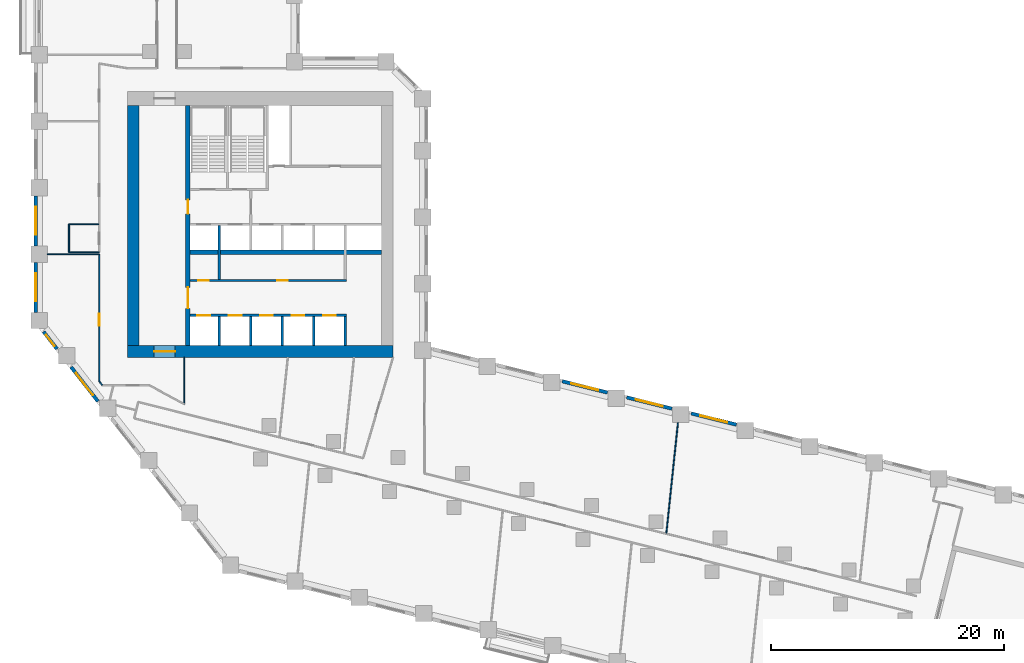
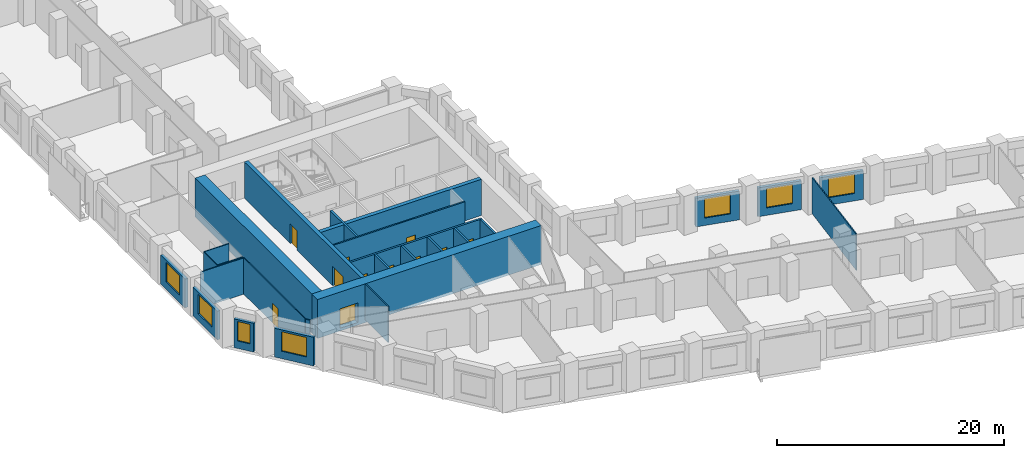
# One storey, part 4 of 11: 27 walls, 11 doors, 7 windows, 18 openings.
"""IFC4 building model written with IfcOpenShell, lengths in metres."""

import ifcopenshell
import ifcopenshell.guid

model = None  # the IFC model being written
_history = None  # IfcOwnerHistory: only IFC2X3 demands one
_inside = {}  # id of a spatial element -> (the spatial element, [elements in it])
_under = {}  # id of a project, library or spatial element -> (it, [spatial elements below it])
_declared = {}  # id of a project -> (the project, [libraries it declares])
_typed = {}  # id of a type object -> (the type object, [elements of that type])
_made_of = {}  # id of a material, layer set ... -> (it, [elements and type objects made of it])


def new_model(schema):
    """Start an empty IFC model of exactly this schema.

    Asked for "IFC4X3", IfcOpenShell would pick the latest addendum, in which some entities
    have other attributes; the version numbers below select the first issue.
    IFC2X3 requires an IfcOwnerHistory on every rooted entity: one is made here for all.
    """
    global model, _history
    if schema == "IFC4X3":
        model = ifcopenshell.file(schema_version=(4, 3, 0, 0))
    else:
        model = ifcopenshell.file(schema=schema)
    _inside.clear()
    _under.clear()
    _declared.clear()
    _typed.clear()
    _made_of.clear()
    _history = None
    if model.schema == "IFC2X3":
        org = make("IfcOrganization", Name="unknown")
        user = make(
            "IfcPersonAndOrganization",
            ThePerson=make("IfcPerson", FamilyName="unknown"),
            TheOrganization=org,
        )
        app = make(
            "IfcApplication",
            ApplicationDeveloper=org,
            Version="unknown",
            ApplicationFullName="unknown",
            ApplicationIdentifier="unknown",
        )
        _history = make(
            "IfcOwnerHistory",
            OwningUser=user,
            OwningApplication=app,
            ChangeAction="ADDED",
            CreationDate=0,
        )
    return model


def make(cls, **values):
    """One entity of the class cls with the attributes given. An attribute that is None is left unset."""
    return model.create_entity(
        cls, **{name: value for name, value in values.items() if value is not None}
    )


def rooted(cls, **values):
    """An entity with a GlobalId (a new one), such as an element, a storey or a relation."""
    return make(cls, GlobalId=ifcopenshell.guid.new(), OwnerHistory=_history, **values)


def si_unit(unit_type, name, prefix=None):
    """IfcSIUnit, for example si_unit("LENGTHUNIT", "METRE", prefix="MILLI")."""
    return make("IfcSIUnit", UnitType=unit_type, Prefix=prefix, Name=name)


def assignment(units):
    """IfcUnitAssignment: the units of a project."""
    return None if units is None else make("IfcUnitAssignment", Units=units)


def point(xyz):
    """IfcCartesianPoint."""
    return None if xyz is None else make("IfcCartesianPoint", Coordinates=xyz)


def direction(xyz):
    """IfcDirection."""
    return None if xyz is None else make("IfcDirection", DirectionRatios=xyz)


def frame(location, z_axis=None, x_axis=None):
    """IfcAxis2Placement3D, a coordinate frame: its origin and axes. An axis left out is left unset."""
    return make(
        "IfcAxis2Placement3D",
        Location=point(location),
        Axis=direction(z_axis),
        RefDirection=direction(x_axis),
    )


def frame_2d(location, x_axis=None):
    """IfcAxis2Placement2D, a coordinate frame in the plane: its origin and x axis."""
    return make(
        "IfcAxis2Placement2D", Location=point(location), RefDirection=direction(x_axis)
    )


def origin():
    """The frame at (0, 0, 0) with its axes left unset."""
    return frame((0.0, 0.0, 0.0))


def place(relative_to, where):
    """IfcLocalPlacement: puts the frame where relative to a parent placement (None: the world)."""
    return make(
        "IfcLocalPlacement", PlacementRelTo=relative_to, RelativePlacement=where
    )


def context(
    kind, dimensions, precision=None, world=None, true_north=None, identifier=None
):
    """IfcGeometricRepresentationContext, for example the 3D "Model" context."""
    return make(
        "IfcGeometricRepresentationContext",
        ContextIdentifier=identifier,
        ContextType=kind,
        CoordinateSpaceDimension=dimensions,
        Precision=precision,
        WorldCoordinateSystem=world,
        TrueNorth=true_north,
    )


def subcontext(parent, identifier, kind, view, scale=None):
    """IfcGeometricRepresentationSubContext, for example "Body" below "Model"."""
    return make(
        "IfcGeometricRepresentationSubContext",
        ContextIdentifier=identifier,
        ContextType=kind,
        ParentContext=parent,
        TargetScale=scale,
        TargetView=view,
    )


def project(units=None, contexts=None):
    """IfcProject with its units and contexts."""
    return rooted(
        "IfcProject",
        Name="project",
        RepresentationContexts=contexts,
        UnitsInContext=assignment(units),
    )


def spatial(cls, under=None, at=None, **own):
    """A site, building, storey or space (cls), placed at a placement, below another one or the project."""
    s = rooted(cls, ObjectPlacement=at, **own)
    if under is not None:
        _under.setdefault(under.id(), (under, []))[1].append(s)
    return s


def profile(cls, at=None, kind="AREA", **sizes):
    """A parametric profile (cls). Its sizes go by their IFC names, for example OverallWidth=200.0."""
    return make(cls, ProfileType=kind, Position=at, **sizes)


def rectangle(**sizes):
    """IfcRectangleProfileDef."""
    return profile("IfcRectangleProfileDef", **sizes)


def extrude(swept, where, along, depth):
    """IfcExtrudedAreaSolid: the profile swept, set in the frame where, extruded along a direction by depth."""
    return make(
        "IfcExtrudedAreaSolid",
        SweptArea=swept,
        Position=where,
        ExtrudedDirection=direction(along),
        Depth=depth,
    )


def shape(context_of_items, identifier, shape_type, items):
    """IfcShapeRepresentation: the items that make up one representation, for example the "Body"."""
    return make(
        "IfcShapeRepresentation",
        ContextOfItems=context_of_items,
        RepresentationIdentifier=identifier,
        RepresentationType=shape_type,
        Items=items,
    )


def material(Name=None, Category=None):
    """IfcMaterial."""
    return make("IfcMaterial", Name=Name, Category=Category)


def layer(
    of_material, thickness, ventilated=None, Name=None, Category=None, Priority=None
):
    """IfcMaterialLayer: one layer of a wall or slab, of a material (None: an air gap)."""
    return make(
        "IfcMaterialLayer",
        Material=of_material,
        LayerThickness=thickness,
        IsVentilated=ventilated,
        Name=Name,
        Category=Category,
        Priority=Priority,
    )


def layer_set(layers, Name=None):
    """IfcMaterialLayerSet."""
    return make("IfcMaterialLayerSet", MaterialLayers=layers, LayerSetName=Name)


def made_of(thing, what):
    """Note that an element or type object is made of a material, layer set ...; save() writes the relation."""
    if what is not None:
        _made_of.setdefault(what.id(), (what, []))[1].append(thing)
    return thing


def type_object(cls, material=None, **own):
    """A type object (cls), such as IfcWallType, which elements share."""
    return made_of(rooted(cls, **own), material)


def element(
    cls,
    number,
    at=None,
    inside=None,
    cuts=None,
    type_object=None,
    material=None,
    context=None,
    identifier="Body",
    shape_type=None,
    held_by="IfcProductDefinitionShape",
    body=None,
    shapes=None,
    **own,
):
    """One element of the class cls, such as IfcWall. Its Tag is "e" and its number.

    at: its placement. inside: the storey or other place that contains it. cuts: it is an
    opening in that element (IfcRelVoidsElement). A single representation is given by context,
    identifier, shape_type and body (its items); several are given by shapes. held_by: the class
    of the entity that holds the representations. save() writes the other relations.
    """
    e = rooted(cls, Tag="e%d" % number, ObjectPlacement=at, **own)
    if body is not None:
        shapes = [shape(context, identifier, shape_type, body)]
    if shapes is not None:
        e.Representation = make(held_by, Representations=shapes)
    if inside is not None:
        _inside.setdefault(inside.id(), (inside, []))[1].append(e)
    if cuts is not None:
        rooted(
            "IfcRelVoidsElement", RelatingBuildingElement=cuts, RelatedOpeningElement=e
        )
    if type_object is not None:
        _typed.setdefault(type_object.id(), (type_object, []))[1].append(e)
    return made_of(e, material)


def fill(opening, filler):
    """IfcRelFillsElement: the door or window that sits in an opening."""
    return rooted(
        "IfcRelFillsElement",
        RelatingOpeningElement=opening,
        RelatedBuildingElement=filler,
    )


def aggregate(whole, parts):
    """IfcRelAggregates: a whole, such as a stair, and the parts it consists of."""
    return rooted("IfcRelAggregates", RelatingObject=whole, RelatedObjects=parts)


def save(model, path):
    """Write the relations noted so far, then the file.

    IfcRelAggregates (storeys below a building ...), IfcRelContainedInSpatialStructure (elements
    in a storey), IfcRelDefinesByType, IfcRelAssociatesMaterial and IfcRelDeclares: one each for
    every whole, place, type object, material and project.
    """
    for whole, parts in _under.values():
        aggregate(whole, parts)
    for where, things in _inside.values():
        rooted(
            "IfcRelContainedInSpatialStructure",
            RelatedElements=things,
            RelatingStructure=where,
        )
    for kind, things in _typed.values():
        rooted("IfcRelDefinesByType", RelatedObjects=things, RelatingType=kind)
    for what, things in _made_of.values():
        rooted("IfcRelAssociatesMaterial", RelatedObjects=things, RelatingMaterial=what)
    for by, libraries in _declared.values():
        rooted("IfcRelDeclares", RelatingContext=by, RelatedDefinitions=libraries)
    model.write(path)


model = new_model("IFC4")

# Units and contexts
model_context = context("Model", 3, precision=1e-05, world=origin(), true_north=direction((0.0, 1.0)))
body_context = subcontext(model_context, "Body", "Model", "MODEL_VIEW")
ifc_project = project(units=[si_unit("LENGTHUNIT", "METRE"), si_unit("AREAUNIT", "SQUARE_METRE"), si_unit("VOLUMEUNIT", "CUBIC_METRE"), si_unit("PLANEANGLEUNIT", "RADIAN"), si_unit("MASSUNIT", "GRAM", prefix="KILO")], contexts=[model_context])

# Site, building, storey
site_placement = place(None, origin())
site = spatial("IfcSite", under=ifc_project, at=site_placement, CompositionType="ELEMENT")
building_placement = place(site_placement, origin())
building = spatial("IfcBuilding", under=site, at=building_placement, Name="Meshkara Civic Tower", CompositionType="ELEMENT")
storey_placement = place(building_placement, frame((0.0, 0.0, 45.60009765625)))
storey = spatial("IfcBuildingStorey", under=building, at=storey_placement, Name="L09", CompositionType="ELEMENT", Elevation=45.60009765625)

# Wall, openings, doors
ifc_material_1 = material(Name="Blockwork", Category="masonry")
ifc_layer_1 = layer(ifc_material_1, 0.14990234375)
ifc_layer_set_1 = layer_set([ifc_layer_1], Name="Core partition 150")
wall_type_1 = type_object("IfcWallType", Name="Core partition 150", PredefinedType="PARTITIONING", material=ifc_layer_set_1)
wall_1_placement = place(storey_placement, frame((13.39990234375, 20.699951171875, 0.0), z_axis=(0.0, 0.0, 1.0), x_axis=(1.0, 0.0, 0.0)))
wall_1 = element("IfcWall", 1, at=wall_1_placement, inside=storey, type_object=wall_type_1, Name="L09-C006", PredefinedType="PARTITIONING", context=body_context, shape_type="SweptSolid", body=[
    extrude(rectangle(XDim=13.400146484375, YDim=0.14990234375, at=frame_2d((6.7001953125, 0.0))), origin(), (0.0, 0.0, 1.0), 3.89990234375),
])
opening_1_placement = place(wall_1_placement, frame((0.699951171875, 0.0, 0.0)))
opening_1 = element("IfcOpeningElement", 2, at=opening_1_placement, cuts=wall_1, Name="Opening L09-K010", PredefinedType="OPENING", context=body_context, shape_type="SweptSolid", body=[
    extrude(rectangle(XDim=0.89990234375, YDim=2.10009765625, at=frame_2d((0.449951171875, 1.050048828125))), frame((0.0, 0.0849609375, 0.0), z_axis=(0.0, -1.0, 0.0), x_axis=(1.0, 0.0, 0.0)), (0.0, 0.0, 1.0), 0.169921875),
])
opening_2_placement = place(wall_1_placement, frame((7.449951171875, 0.0, 0.0)))
opening_2 = element("IfcOpeningElement", 3, at=opening_2_placement, cuts=wall_1, Name="Opening L09-K011", PredefinedType="OPENING", context=body_context, shape_type="SweptSolid", body=[
    extrude(rectangle(XDim=0.89990234375, YDim=2.10009765625, at=frame_2d((0.449951171875, 1.050048828125))), frame((0.0, 0.0849609375, 0.0), z_axis=(0.0, -1.0, 0.0), x_axis=(1.0, 0.0, 0.0)), (0.0, 0.0, 1.0), 0.169921875),
])
ifc_material_2 = material(Name="Timber door leaf in steel frame", Category="steel")
door_type_1 = type_object("IfcDoorType", Name="Core room door 900", OperationType="SINGLE_SWING_LEFT", PredefinedType="DOOR", material=ifc_material_2)
door_1_placement = place(opening_1_placement, origin())
door_1 = element("IfcDoor", 4, at=door_1_placement, inside=storey, type_object=door_type_1, Name="L09-K010", OperationType="SINGLE_SWING_RIGHT", OverallHeight=2.10009765625, OverallWidth=0.89990234375, PredefinedType="DOOR", context=body_context, shape_type="SweptSolid", body=[
    extrude(rectangle(XDim=0.89990234375, YDim=2.10009765625, at=frame_2d((0.449951171875, 1.050048828125))), frame((0.0, 0.02490234375, 0.0), z_axis=(0.0, -1.0, 0.0), x_axis=(1.0, 0.0, 0.0)), (0.0, 0.0, 1.0), 0.050048828125),
])
fill(opening_1, door_1)
door_2_placement = place(opening_2_placement, origin())
door_2 = element("IfcDoor", 5, at=door_2_placement, inside=storey, type_object=door_type_1, Name="L09-K011", OperationType="SINGLE_SWING_LEFT", OverallHeight=2.10009765625, OverallWidth=0.89990234375, PredefinedType="DOOR", context=body_context, shape_type="SweptSolid", body=[
    extrude(rectangle(XDim=0.89990234375, YDim=2.10009765625, at=frame_2d((0.449951171875, 1.050048828125))), frame((0.0, 0.02490234375, 0.0), z_axis=(0.0, -1.0, 0.0), x_axis=(1.0, 0.0, 0.0)), (0.0, 0.0, 1.0), 0.050048828125),
])
fill(opening_2, door_2)

# Wall, opening, door
ifc_material_3 = material(Name="Concrete C80", Category="concrete")
ifc_layer_2 = layer(ifc_material_3, 1.0)
ifc_layer_set_2 = layer_set([ifc_layer_2], Name="Core ring wall 1000 C80")
wall_type_2 = type_object("IfcWallType", Name="Core ring wall 1000 C80", PredefinedType="SHEAR", material=ifc_layer_set_2)
wall_2_placement = place(storey_placement, frame((8.0, 14.60009765625, -0.300048828125), z_axis=(0.0, 0.0, 1.0), x_axis=(1.0, 0.0, 0.0)))
wall_2 = element("IfcWall", 6, at=wall_2_placement, inside=storey, type_object=wall_type_2, Name="L09-C001", PredefinedType="SHEAR", context=body_context, shape_type="SweptSolid", body=[
    extrude(rectangle(XDim=22.800048828125, YDim=1.0, at=frame_2d((11.39990234375, 0.0))), origin(), (0.0, 0.0, 1.0), 4.199951171875),
])
opening_3_placement = place(wall_2_placement, frame((2.300048828125, 0.0, 0.300048828125)))
opening_3 = element("IfcOpeningElement", 7, at=opening_3_placement, cuts=wall_2, Name="Opening L09-K020", PredefinedType="OPENING", context=body_context, shape_type="SweptSolid", body=[
    extrude(rectangle(XDim=1.800048828125, YDim=2.10009765625, at=frame_2d((0.89990234375, 1.050048828125))), frame((0.0, 0.510009765625, 0.0), z_axis=(0.0, -1.0, 0.0), x_axis=(1.0, 0.0, 0.0)), (0.0, 0.0, 1.0), 1.02001953125),
])
ifc_material_4 = material(Name="Fire-rated door leaf in steel frame", Category="steel")
door_type_2 = type_object("IfcDoorType", Name="Core double door 1800 EI 60", OperationType="DOUBLE_DOOR_SINGLE_SWING", PredefinedType="DOOR", material=ifc_material_4)
door_3_placement = place(opening_3_placement, origin())
door_3 = element("IfcDoor", 8, at=door_3_placement, inside=storey, type_object=door_type_2, Name="L09-K020", OperationType="DOUBLE_DOOR_SINGLE_SWING", OverallHeight=2.10009765625, OverallWidth=1.800048828125, PredefinedType="DOOR", context=body_context, shape_type="SweptSolid", body=[
    extrude(rectangle(XDim=1.800048828125, YDim=2.10009765625, at=frame_2d((0.89990234375, 1.050048828125))), frame((0.0, 0.02490234375, 0.0), z_axis=(0.0, -1.0, 0.0), x_axis=(1.0, 0.0, 0.0)), (0.0, 0.0, 1.0), 0.050048828125),
])
fill(opening_3, door_3)

# Walls
wall_3_placement = place(storey_placement, frame((8.5, 15.10009765625, -0.300048828125), z_axis=(0.0, 0.0, 1.0), x_axis=(0.0, 1.0, 0.0)))
element("IfcWall", 9, at=wall_3_placement, inside=storey, type_object=wall_type_2, Name="L09-C003", PredefinedType="SHEAR", context=body_context, shape_type="SweptSolid", body=[
    extrude(rectangle(XDim=20.599853515625, YDim=1.0, at=frame_2d((10.2998046875, 0.0))), origin(), (0.0, 0.0, 1.0), 4.199951171875),
])
ifc_material_5 = material(Name="Concrete C80", Category="concrete")
ifc_layer_3 = layer(ifc_material_5, 0.39990234375)
ifc_layer_set_3 = layer_set([ifc_layer_3], Name="Core shear wall 400 C80")
wall_type_3 = type_object("IfcWallType", Name="Core shear wall 400 C80", PredefinedType="SHEAR", material=ifc_layer_set_3)
wall_4_placement = place(storey_placement, frame((13.39990234375, 23.10009765625, 0.0), z_axis=(0.0, 0.0, 1.0), x_axis=(1.0, 0.0, 0.0)))
element("IfcWall", 10, at=wall_4_placement, inside=storey, type_object=wall_type_3, Name="L09-C007", PredefinedType="SHEAR", context=body_context, shape_type="SweptSolid", body=[
    extrude(rectangle(XDim=16.400146484375, YDim=0.39990234375, at=frame_2d((8.2001953125, 0.0))), origin(), (0.0, 0.0, 1.0), 3.89990234375),
])

# Wall, openings, doors
wall_5_placement = place(storey_placement, frame((13.199951171875, 15.10009765625, 0.0), z_axis=(0.0, 0.0, 1.0), x_axis=(0.0, 1.0, 0.0)))
wall_5 = element("IfcWall", 11, at=wall_5_placement, inside=storey, type_object=wall_type_3, Name="L09-C011", PredefinedType="SHEAR", context=body_context, shape_type="SweptSolid", body=[
    extrude(rectangle(XDim=20.599853515625, YDim=0.39990234375, at=frame_2d((10.2998046875, 0.0))), origin(), (0.0, 0.0, 1.0), 3.89990234375),
])
opening_4_placement = place(wall_5_placement, frame((3.199951171875, 0.0, 0.0)))
opening_4 = element("IfcOpeningElement", 12, at=opening_4_placement, cuts=wall_5, Name="Opening L09-K016", PredefinedType="OPENING", context=body_context, shape_type="SweptSolid", body=[
    extrude(rectangle(XDim=1.800048828125, YDim=2.10009765625, at=frame_2d((0.89990234375, 1.050048828125))), frame((0.0, 0.2099609375, 0.0), z_axis=(0.0, -1.0, 0.0), x_axis=(1.0, 0.0, 0.0)), (0.0, 0.0, 1.0), 0.419921875),
])
opening_5_placement = place(wall_5_placement, frame((11.300048828125, 0.0, 0.0)))
opening_5 = element("IfcOpeningElement", 13, at=opening_5_placement, cuts=wall_5, Name="Opening L09-K017", PredefinedType="OPENING", context=body_context, shape_type="SweptSolid", body=[
    extrude(rectangle(XDim=1.199951171875, YDim=2.10009765625, at=frame_2d((0.60009765625, 1.050048828125))), frame((0.0, 0.2099609375, 0.0), z_axis=(0.0, -1.0, 0.0), x_axis=(1.0, 0.0, 0.0)), (0.0, 0.0, 1.0), 0.419921875),
])
door_4_placement = place(opening_4_placement, origin())
door_4 = element("IfcDoor", 14, at=door_4_placement, inside=storey, type_object=door_type_2, Name="L09-K016", OperationType="DOUBLE_DOOR_SINGLE_SWING", OverallHeight=2.10009765625, OverallWidth=1.800048828125, PredefinedType="DOOR", context=body_context, shape_type="SweptSolid", body=[
    extrude(rectangle(XDim=1.800048828125, YDim=2.10009765625, at=frame_2d((0.89990234375, 1.050048828125))), frame((0.0, 0.02490234375, 0.0), z_axis=(0.0, -1.0, 0.0), x_axis=(1.0, 0.0, 0.0)), (0.0, 0.0, 1.0), 0.050048828125),
])
fill(opening_4, door_4)
ifc_material_6 = material(Name="Fire-rated door leaf in steel frame", Category="steel")
door_type_3 = type_object("IfcDoorType", Name="Fire-fighting lobby door 1200 EI 120", OperationType="SINGLE_SWING_LEFT", PredefinedType="DOOR", material=ifc_material_6)
door_5_placement = place(opening_5_placement, origin())
door_5 = element("IfcDoor", 15, at=door_5_placement, inside=storey, type_object=door_type_3, Name="L09-K017", OperationType="SINGLE_SWING_LEFT", OverallHeight=2.10009765625, OverallWidth=1.199951171875, PredefinedType="DOOR", context=body_context, shape_type="SweptSolid", body=[
    extrude(rectangle(XDim=1.199951171875, YDim=2.10009765625, at=frame_2d((0.60009765625, 1.050048828125))), frame((0.0, 0.02490234375, 0.0), z_axis=(0.0, -1.0, 0.0), x_axis=(1.0, 0.0, 0.0)), (0.0, 0.0, 1.0), 0.050048828125),
])
fill(opening_5, door_5)

# Wall
ifc_material_7 = material(Name="Corridor wall 100")
ifc_layer_4 = layer(ifc_material_7, 0.10009765625)
ifc_layer_set_4 = layer_set([ifc_layer_4], Name="Corridor wall 100")
wall_type_4 = type_object("IfcWallType", Name="Corridor wall 100", PredefinedType="PARTITIONING", material=ifc_layer_set_4)
wall_6_placement = place(storey_placement, frame((5.60009765625, 12.04296875, 0.0), z_axis=(0.0, 0.0, 1.0), x_axis=(0.615415398102, -0.788202948344, 0.0)))
element("IfcWall", 16, at=wall_6_placement, inside=storey, type_object=wall_type_4, Name="L09-W003", PredefinedType="PARTITIONING", context=body_context, shape_type="SweptSolid", body=[
    extrude(rectangle(XDim=0.435302734375, YDim=0.10009765625, at=frame_2d((0.2177734375, 0.0))), origin(), (0.0, 0.0, 1.0), 3.89990234375),
])

# Wall, opening, door
wall_7_placement = place(storey_placement, frame((5.60009765625, 22.955078125, 0.0), z_axis=(0.0, 0.0, 1.0), x_axis=(0.0, -1.0, 0.0)))
wall_7 = element("IfcWall", 17, at=wall_7_placement, inside=storey, type_object=wall_type_4, Name="L09-W004", PredefinedType="PARTITIONING", context=body_context, shape_type="SweptSolid", body=[
    extrude(rectangle(XDim=10.912109375, YDim=0.10009765625, at=frame_2d((5.4560546875, 0.0))), origin(), (0.0, 0.0, 1.0), 3.89990234375),
])
opening_6_placement = place(wall_7_placement, frame((5.132080078125, 0.0, 0.0)))
opening_6 = element("IfcOpeningElement", 18, at=opening_6_placement, cuts=wall_7, Name="Opening L09-D017", PredefinedType="OPENING", context=body_context, shape_type="SweptSolid", body=[
    extrude(rectangle(XDim=1.0, YDim=2.10009765625, at=frame_2d((0.5, 1.050048828125))), frame((0.0, 0.06005859375, 0.0), z_axis=(0.0, -1.0, 0.0), x_axis=(1.0, 0.0, 0.0)), (0.0, 0.0, 1.0), 0.1201171875),
])
ifc_material_8 = material(Name="Door 1000 x 2100")
door_type_4 = type_object("IfcDoorType", Name="Door 1000 x 2100", OperationType="SINGLE_SWING_LEFT", PredefinedType="DOOR", material=ifc_material_8)
door_6_placement = place(opening_6_placement, origin())
door_6 = element("IfcDoor", 19, at=door_6_placement, inside=storey, type_object=door_type_4, Name="L09-D017", OperationType="SINGLE_SWING_LEFT", OverallHeight=2.10009765625, OverallWidth=1.0, PredefinedType="DOOR", context=body_context, shape_type="SweptSolid", body=[
    extrude(rectangle(XDim=1.0, YDim=2.10009765625, at=frame_2d((0.5, 1.050048828125))), frame((0.0, 0.02490234375, 0.0), z_axis=(0.0, -1.0, 0.0), x_axis=(1.0, 0.0, 0.0)), (0.0, 0.0, 1.0), 0.050048828125),
])
fill(opening_6, door_6)

# Wall
wall_8_placement = place(storey_placement, frame((12.89990234375, 10.077880859375, 0.0), z_axis=(0.0, 0.0, 1.0), x_axis=(0.0, 1.0, 0.0)))
element("IfcWall", 20, at=wall_8_placement, inside=storey, type_object=wall_type_4, Name="L09-W016", PredefinedType="PARTITIONING", context=body_context, shape_type="SweptSolid", body=[
    extrude(rectangle(XDim=4.022216796875, YDim=0.10009765625, at=frame_2d((2.01123046875, 0.0))), origin(), (0.0, 0.0, 1.0), 3.89990234375),
])

# Wall, opening, window
ifc_material_9 = material(Name="Insulated infill panel with bronze anodised aluminium cladding", Category="aluminium")
ifc_layer_5 = layer(ifc_material_9, 0.300048828125)
ifc_layer_set_5 = layer_set([ifc_layer_5], Name="EXTERNAL INFILL WALL 300")
wall_type_5 = type_object("IfcWallType", Name="EXTERNAL INFILL WALL 300", PredefinedType="SOLIDWALL", material=ifc_layer_set_5)
wall_9_placement = place(storey_placement, frame((60.251953125, 8.321044921875, 0.0), z_axis=(0.0, 0.0, 1.0), x_axis=(-0.970303772127, 0.241889623168, 0.0)))
wall_9 = element("IfcWall", 21, at=wall_9_placement, inside=storey, type_object=wall_type_5, Name="External wall", PredefinedType="SOLIDWALL", context=body_context, shape_type="SweptSolid", body=[
    extrude(rectangle(XDim=4.001953125, YDim=0.300048828125, at=frame_2d((2.0009765625, 0.0))), origin(), (0.0, 0.0, 1.0), 3.099853515625),
])
opening_7_placement = place(wall_9_placement, frame((0.801025390625, 0.0, 0.800048828125)))
opening_7 = element("IfcOpeningElement", 22, at=opening_7_placement, cuts=wall_9, Name="Opening W7", PredefinedType="OPENING", context=body_context, shape_type="SweptSolid", body=[
    extrude(rectangle(XDim=2.39990234375, YDim=2.10009765625, at=frame_2d((1.199951171875, 1.050048828125))), frame((0.0, 0.159912109375, 0.0), z_axis=(0.0, -1.0, 0.0), x_axis=(1.0, 0.0, 0.0)), (0.0, 0.0, 1.0), 0.320068359375),
])
ifc_material_10 = material(Name="Tinted double glazing", Category="glass")
window_type_1 = type_object("IfcWindowType", Name="WINDOW 2400x2100", PartitioningType="DOUBLE_PANEL_VERTICAL", PredefinedType="WINDOW", material=ifc_material_10)
window_1_placement = place(opening_7_placement, origin())
window_1 = element("IfcWindow", 23, at=window_1_placement, inside=storey, type_object=window_type_1, Name="Window", OverallHeight=2.10009765625, OverallWidth=2.39990234375, PartitioningType="DOUBLE_PANEL_VERTICAL", PredefinedType="WINDOW", context=body_context, shape_type="SweptSolid", body=[
    extrude(rectangle(XDim=2.39990234375, YDim=2.10009765625, at=frame_2d((1.199951171875, 1.050048828125))), frame((0.0, 0.030029296875, 0.0), z_axis=(0.0, -1.0, 0.0), x_axis=(1.0, 0.0, 0.0)), (0.0, 0.0, 1.0), 0.06005859375),
])
fill(opening_7, window_1)

wall_10_placement = place(storey_placement, frame((54.721923828125, 9.699951171875, 0.0), z_axis=(0.0, 0.0, 1.0), x_axis=(-0.970318045095, 0.24183236211, 0.0)))
wall_10 = element("IfcWall", 24, at=wall_10_placement, inside=storey, type_object=wall_type_5, Name="External wall", PredefinedType="SOLIDWALL", context=body_context, shape_type="SweptSolid", body=[
    extrude(rectangle(XDim=4.0029296875, YDim=0.300048828125, at=frame_2d((2.00146484375, 0.0))), origin(), (0.0, 0.0, 1.0), 3.099853515625),
])
opening_8_placement = place(wall_10_placement, frame((0.802001953125, 0.0, 0.800048828125)))
opening_8 = element("IfcOpeningElement", 25, at=opening_8_placement, cuts=wall_10, Name="Opening W7", PredefinedType="OPENING", context=body_context, shape_type="SweptSolid", body=[
    extrude(rectangle(XDim=2.39990234375, YDim=2.10009765625, at=frame_2d((1.199951171875, 1.050048828125))), frame((0.0, 0.159912109375, 0.0), z_axis=(0.0, -1.0, 0.0), x_axis=(1.0, 0.0, 0.0)), (0.0, 0.0, 1.0), 0.320068359375),
])
window_2_placement = place(opening_8_placement, origin())
window_2 = element("IfcWindow", 26, at=window_2_placement, inside=storey, type_object=window_type_1, Name="Window", OverallHeight=2.10009765625, OverallWidth=2.39990234375, PartitioningType="DOUBLE_PANEL_VERTICAL", PredefinedType="WINDOW", context=body_context, shape_type="SweptSolid", body=[
    extrude(rectangle(XDim=2.39990234375, YDim=2.10009765625, at=frame_2d((1.199951171875, 1.050048828125))), frame((0.0, 0.030029296875, 0.0), z_axis=(0.0, -1.0, 0.0), x_axis=(1.0, 0.0, 0.0)), (0.0, 0.0, 1.0), 0.06005859375),
])
fill(opening_8, window_2)

wall_11_placement = place(storey_placement, frame((49.19091796875, 11.0791015625, 0.0), z_axis=(0.0, 0.0, 1.0), x_axis=(-0.970318045095, 0.24183236211, 0.0)))
wall_11 = element("IfcWall", 27, at=wall_11_placement, inside=storey, type_object=wall_type_5, Name="External wall", PredefinedType="SOLIDWALL", context=body_context, shape_type="SweptSolid", body=[
    extrude(rectangle(XDim=4.0029296875, YDim=0.300048828125, at=frame_2d((2.00146484375, 0.0))), origin(), (0.0, 0.0, 1.0), 3.099853515625),
])
opening_9_placement = place(wall_11_placement, frame((0.802001953125, 0.0, 0.800048828125)))
opening_9 = element("IfcOpeningElement", 28, at=opening_9_placement, cuts=wall_11, Name="Opening W7", PredefinedType="OPENING", context=body_context, shape_type="SweptSolid", body=[
    extrude(rectangle(XDim=2.39990234375, YDim=2.10009765625, at=frame_2d((1.199951171875, 1.050048828125))), frame((0.0, 0.159912109375, 0.0), z_axis=(0.0, -1.0, 0.0), x_axis=(1.0, 0.0, 0.0)), (0.0, 0.0, 1.0), 0.320068359375),
])
window_3_placement = place(opening_9_placement, origin())
window_3 = element("IfcWindow", 29, at=window_3_placement, inside=storey, type_object=window_type_1, Name="Window", OverallHeight=2.10009765625, OverallWidth=2.39990234375, PartitioningType="DOUBLE_PANEL_VERTICAL", PredefinedType="WINDOW", context=body_context, shape_type="SweptSolid", body=[
    extrude(rectangle(XDim=2.39990234375, YDim=2.10009765625, at=frame_2d((1.199951171875, 1.050048828125))), frame((0.0, 0.030029296875, 0.0), z_axis=(0.0, -1.0, 0.0), x_axis=(1.0, 0.0, 0.0)), (0.0, 0.0, 1.0), 0.06005859375),
])
fill(opening_9, window_3)

wall_12_placement = place(storey_placement, frame((0.14990234375, 27.955078125, 0.0), z_axis=(0.0, 0.0, 1.0), x_axis=(0.0, -1.0, 0.0)))
wall_12 = element("IfcWall", 30, at=wall_12_placement, inside=storey, type_object=wall_type_5, Name="External wall", PredefinedType="SOLIDWALL", context=body_context, shape_type="SweptSolid", body=[
    extrude(rectangle(XDim=4.300048828125, YDim=0.300048828125, at=frame_2d((2.14990234375, 0.0))), origin(), (0.0, 0.0, 1.0), 3.099853515625),
])
opening_10_placement = place(wall_12_placement, frame((0.949951171875, 0.0, 0.800048828125)))
opening_10 = element("IfcOpeningElement", 31, at=opening_10_placement, cuts=wall_12, Name="Opening W7", PredefinedType="OPENING", context=body_context, shape_type="SweptSolid", body=[
    extrude(rectangle(XDim=2.39990234375, YDim=2.10009765625, at=frame_2d((1.199951171875, 1.050048828125))), frame((0.0, 0.159912109375, 0.0), z_axis=(0.0, -1.0, 0.0), x_axis=(1.0, 0.0, 0.0)), (0.0, 0.0, 1.0), 0.320068359375),
])
window_4_placement = place(opening_10_placement, origin())
window_4 = element("IfcWindow", 32, at=window_4_placement, inside=storey, type_object=window_type_1, Name="Window", OverallHeight=2.10009765625, OverallWidth=2.39990234375, PartitioningType="DOUBLE_PANEL_VERTICAL", PredefinedType="WINDOW", context=body_context, shape_type="SweptSolid", body=[
    extrude(rectangle(XDim=2.39990234375, YDim=2.10009765625, at=frame_2d((1.199951171875, 1.050048828125))), frame((0.0, 0.030029296875, 0.0), z_axis=(0.0, -1.0, 0.0), x_axis=(1.0, 0.0, 0.0)), (0.0, 0.0, 1.0), 0.06005859375),
])
fill(opening_10, window_4)

wall_13_placement = place(storey_placement, frame((0.14990234375, 22.2548828125, 0.0), z_axis=(0.0, 0.0, 1.0), x_axis=(0.0, -1.0, 0.0)))
wall_13 = element("IfcWall", 33, at=wall_13_placement, inside=storey, type_object=wall_type_5, Name="External wall", PredefinedType="SOLIDWALL", context=body_context, shape_type="SweptSolid", body=[
    extrude(rectangle(XDim=4.2998046875, YDim=0.300048828125, at=frame_2d((2.14990234375, 0.0))), origin(), (0.0, 0.0, 1.0), 3.099853515625),
])
opening_11_placement = place(wall_13_placement, frame((0.949951171875, 0.0, 0.800048828125)))
opening_11 = element("IfcOpeningElement", 34, at=opening_11_placement, cuts=wall_13, Name="Opening W7", PredefinedType="OPENING", context=body_context, shape_type="SweptSolid", body=[
    extrude(rectangle(XDim=2.39990234375, YDim=2.10009765625, at=frame_2d((1.199951171875, 1.050048828125))), frame((0.0, 0.159912109375, 0.0), z_axis=(0.0, -1.0, 0.0), x_axis=(1.0, 0.0, 0.0)), (0.0, 0.0, 1.0), 0.320068359375),
])
window_5_placement = place(opening_11_placement, origin())
window_5 = element("IfcWindow", 35, at=window_5_placement, inside=storey, type_object=window_type_1, Name="Window", OverallHeight=2.10009765625, OverallWidth=2.39990234375, PartitioningType="DOUBLE_PANEL_VERTICAL", PredefinedType="WINDOW", context=body_context, shape_type="SweptSolid", body=[
    extrude(rectangle(XDim=2.39990234375, YDim=2.10009765625, at=frame_2d((1.199951171875, 1.050048828125))), frame((0.0, 0.030029296875, 0.0), z_axis=(0.0, -1.0, 0.0), x_axis=(1.0, 0.0, 0.0)), (0.0, 0.0, 1.0), 0.06005859375),
])
fill(opening_11, window_5)

wall_14_placement = place(storey_placement, frame((0.818115234375, 16.2958984375, 0.0), z_axis=(0.0, 0.0, 1.0), x_axis=(0.615985155343, -0.787757759973, 0.0)))
wall_14 = element("IfcWall", 36, at=wall_14_placement, inside=storey, type_object=wall_type_5, Name="External wall", PredefinedType="SOLIDWALL", context=body_context, shape_type="SweptSolid", body=[
    extrude(rectangle(XDim=1.874755859375, YDim=0.300048828125, at=frame_2d((0.9375, 0.0))), origin(), (0.0, 0.0, 1.0), 3.099853515625),
])
opening_12_placement = place(wall_14_placement, frame((0.3369140625, 0.0, 0.800048828125)))
opening_12 = element("IfcOpeningElement", 37, at=opening_12_placement, cuts=wall_14, Name="Opening W3", PredefinedType="OPENING", context=body_context, shape_type="SweptSolid", body=[
    extrude(rectangle(XDim=1.199951171875, YDim=2.10009765625, at=frame_2d((0.60009765625, 1.050048828125))), frame((0.0, 0.159912109375, 0.0), z_axis=(0.0, -1.0, 0.0), x_axis=(1.0, 0.0, 0.0)), (0.0, 0.0, 1.0), 0.320068359375),
])
ifc_material_11 = material(Name="Tinted double glazing", Category="glass")
window_type_2 = type_object("IfcWindowType", Name="WINDOW 1200x2100", PartitioningType="SINGLE_PANEL", PredefinedType="WINDOW", material=ifc_material_11)
window_6_placement = place(opening_12_placement, origin())
window_6 = element("IfcWindow", 38, at=window_6_placement, inside=storey, type_object=window_type_2, Name="Window", OverallHeight=2.10009765625, OverallWidth=1.199951171875, PartitioningType="SINGLE_PANEL", PredefinedType="WINDOW", context=body_context, shape_type="SweptSolid", body=[
    extrude(rectangle(XDim=1.199951171875, YDim=2.10009765625, at=frame_2d((0.60009765625, 1.050048828125))), frame((0.0, 0.030029296875, 0.0), z_axis=(0.0, -1.0, 0.0), x_axis=(1.0, 0.0, 0.0)), (0.0, 0.0, 1.0), 0.06005859375),
])
fill(opening_12, window_6)

wall_15_placement = place(storey_placement, frame((3.18310546875, 13.27001953125, 0.0), z_axis=(0.0, 0.0, 1.0), x_axis=(0.615564114897, -0.788086810225, 0.0)))
wall_15 = element("IfcWall", 39, at=wall_15_placement, inside=storey, type_object=wall_type_5, Name="External wall", PredefinedType="SOLIDWALL", context=body_context, shape_type="SweptSolid", body=[
    extrude(rectangle(XDim=3.734619140625, YDim=0.300048828125, at=frame_2d((1.8671875, 0.0))), origin(), (0.0, 0.0, 1.0), 3.099853515625),
])
opening_13_placement = place(wall_15_placement, frame((0.6669921875, 0.0, 0.800048828125)))
opening_13 = element("IfcOpeningElement", 40, at=opening_13_placement, cuts=wall_15, Name="Opening W7", PredefinedType="OPENING", context=body_context, shape_type="SweptSolid", body=[
    extrude(rectangle(XDim=2.39990234375, YDim=2.10009765625, at=frame_2d((1.199951171875, 1.050048828125))), frame((0.0, 0.159912109375, 0.0), z_axis=(0.0, -1.0, 0.0), x_axis=(1.0, 0.0, 0.0)), (0.0, 0.0, 1.0), 0.320068359375),
])
window_7_placement = place(opening_13_placement, origin())
window_7 = element("IfcWindow", 41, at=window_7_placement, inside=storey, type_object=window_type_1, Name="Window", OverallHeight=2.10009765625, OverallWidth=2.39990234375, PartitioningType="DOUBLE_PANEL_VERTICAL", PredefinedType="WINDOW", context=body_context, shape_type="SweptSolid", body=[
    extrude(rectangle(XDim=2.39990234375, YDim=2.10009765625, at=frame_2d((1.199951171875, 1.050048828125))), frame((0.0, 0.030029296875, 0.0), z_axis=(0.0, -1.0, 0.0), x_axis=(1.0, 0.0, 0.0)), (0.0, 0.0, 1.0), 0.06005859375),
])
fill(opening_13, window_7)

# Walls
ifc_material_12 = material(Name="Partition 100")
ifc_layer_6 = layer(ifc_material_12, 0.10009765625)
ifc_layer_set_6 = layer_set([ifc_layer_6], Name="Partition 100")
wall_type_6 = type_object("IfcWallType", Name="Partition 100", PredefinedType="PARTITIONING", material=ifc_layer_set_6)
wall_16_placement = place(storey_placement, frame((3.0, 23.10498046875, 0.0), z_axis=(0.0, 0.0, 1.0), x_axis=(0.0, 1.0, 0.0)))
element("IfcWall", 42, at=wall_16_placement, inside=storey, type_object=wall_type_6, Name="L09-W033", PredefinedType="PARTITIONING", context=body_context, shape_type="SweptSolid", body=[
    extrude(rectangle(XDim=2.39990234375, YDim=0.10009765625, at=frame_2d((1.199951171875, 0.0))), origin(), (0.0, 0.0, 1.0), 3.89990234375),
])
wall_17_placement = place(storey_placement, frame((3.0, 25.5048828125, 0.0), z_axis=(0.0, 0.0, 1.0), x_axis=(1.0, 0.0, 0.0)))
element("IfcWall", 43, at=wall_17_placement, inside=storey, type_object=wall_type_6, Name="L09-W034", PredefinedType="PARTITIONING", context=body_context, shape_type="SweptSolid", body=[
    extrude(rectangle(XDim=2.550048828125, YDim=0.10009765625, at=frame_2d((1.27490234375, 0.0))), origin(), (0.0, 0.0, 1.0), 3.89990234375),
])
wall_18_placement = place(storey_placement, frame((5.60009765625, 22.955078125, 0.0), z_axis=(0.0, 0.0, 1.0), x_axis=(-1.0, 0.0, 0.0)))
element("IfcWall", 44, at=wall_18_placement, inside=storey, type_object=wall_type_6, Name="L09-W036", PredefinedType="PARTITIONING", context=body_context, shape_type="SweptSolid", body=[
    extrude(rectangle(XDim=4.4501953125, YDim=0.10009765625, at=frame_2d((2.22509765625, 0.0))), origin(), (0.0, 0.0, 1.0), 3.89990234375),
])
wall_19_placement = place(storey_placement, frame((5.60009765625, 23.10498046875, 0.0), z_axis=(0.0, 0.0, 1.0), x_axis=(-1.0, 0.0, 0.0)))
element("IfcWall", 45, at=wall_19_placement, inside=storey, type_object=wall_type_6, Name="L09-W037", PredefinedType="PARTITIONING", context=body_context, shape_type="SweptSolid", body=[
    extrude(rectangle(XDim=2.60009765625, YDim=0.10009765625, at=frame_2d((1.300048828125, 0.0))), origin(), (0.0, 0.0, 1.0), 3.89990234375),
])
wall_20_placement = place(storey_placement, frame((54.242919921875, -0.971923828125, 0.0), z_axis=(0.0, 0.0, 1.0), x_axis=(0.104452670861, 0.994529858551, 0.0)))
element("IfcWall", 46, at=wall_20_placement, inside=storey, type_object=wall_type_6, Name="L09-W050", PredefinedType="PARTITIONING", context=body_context, shape_type="SweptSolid", body=[
    extrude(rectangle(XDim=9.52685546875, YDim=0.10009765625, at=frame_2d((4.763427734375, 0.0))), origin(), (0.0, 0.0, 1.0), 3.89990234375),
])

# Wall, openings, doors
ifc_material_13 = material(Name="Concrete C40/50", Category="concrete")
ifc_layer_7 = layer(ifc_material_13, 0.199951171875)
ifc_layer_set_7 = layer_set([ifc_layer_7], Name="Shaft wall 200 C40/50")
wall_type_7 = type_object("IfcWallType", Name="Shaft wall 200 C40/50", PredefinedType="SOLIDWALL", material=ifc_layer_set_7)
wall_21_placement = place(storey_placement, frame((13.39990234375, 17.699951171875, 0.0), z_axis=(0.0, 0.0, 1.0), x_axis=(1.0, 0.0, 0.0)))
wall_21 = element("IfcWall", 47, at=wall_21_placement, inside=storey, type_object=wall_type_7, Name="L09-C005", PredefinedType="SOLIDWALL", context=body_context, shape_type="SweptSolid", body=[
    extrude(rectangle(XDim=13.400146484375, YDim=0.199951171875, at=frame_2d((6.7001953125, 0.0))), origin(), (0.0, 0.0, 1.0), 3.89990234375),
])
opening_14_placement = place(wall_21_placement, frame((0.60009765625, 0.0, 0.0)))
opening_14 = element("IfcOpeningElement", 48, at=opening_14_placement, cuts=wall_21, Name="Opening L09-K001", PredefinedType="OPENING", context=body_context, shape_type="SweptSolid", body=[
    extrude(rectangle(XDim=1.10009765625, YDim=2.10009765625, at=frame_2d((0.550048828125, 1.050048828125))), frame((0.0, 0.10986328125, 0.0), z_axis=(0.0, -1.0, 0.0), x_axis=(1.0, 0.0, 0.0)), (0.0, 0.0, 1.0), 0.219970703125),
])
opening_15_placement = place(wall_21_placement, frame((3.300048828125, 0.0, 0.0)))
opening_15 = element("IfcOpeningElement", 49, at=opening_15_placement, cuts=wall_21, Name="Opening L09-K002", PredefinedType="OPENING", context=body_context, shape_type="SweptSolid", body=[
    extrude(rectangle(XDim=1.10009765625, YDim=2.10009765625, at=frame_2d((0.550048828125, 1.050048828125))), frame((0.0, 0.10986328125, 0.0), z_axis=(0.0, -1.0, 0.0), x_axis=(1.0, 0.0, 0.0)), (0.0, 0.0, 1.0), 0.219970703125),
])
opening_16_placement = place(wall_21_placement, frame((6.0, 0.0, 0.0)))
opening_16 = element("IfcOpeningElement", 50, at=opening_16_placement, cuts=wall_21, Name="Opening L09-K003", PredefinedType="OPENING", context=body_context, shape_type="SweptSolid", body=[
    extrude(rectangle(XDim=1.10009765625, YDim=2.10009765625, at=frame_2d((0.550048828125, 1.050048828125))), frame((0.0, 0.10986328125, 0.0), z_axis=(0.0, -1.0, 0.0), x_axis=(1.0, 0.0, 0.0)), (0.0, 0.0, 1.0), 0.219970703125),
])
opening_17_placement = place(wall_21_placement, frame((8.699951171875, 0.0, 0.0)))
opening_17 = element("IfcOpeningElement", 51, at=opening_17_placement, cuts=wall_21, Name="Opening L09-K004", PredefinedType="OPENING", context=body_context, shape_type="SweptSolid", body=[
    extrude(rectangle(XDim=1.10009765625, YDim=2.10009765625, at=frame_2d((0.550048828125, 1.050048828125))), frame((0.0, 0.10986328125, 0.0), z_axis=(0.0, -1.0, 0.0), x_axis=(1.0, 0.0, 0.0)), (0.0, 0.0, 1.0), 0.219970703125),
])
opening_18_placement = place(wall_21_placement, frame((11.39990234375, 0.0, 0.0)))
opening_18 = element("IfcOpeningElement", 52, at=opening_18_placement, cuts=wall_21, Name="Opening L09-K005", PredefinedType="OPENING", context=body_context, shape_type="SweptSolid", body=[
    extrude(rectangle(XDim=1.10009765625, YDim=2.10009765625, at=frame_2d((0.550048828125, 1.050048828125))), frame((0.0, 0.10986328125, 0.0), z_axis=(0.0, -1.0, 0.0), x_axis=(1.0, 0.0, 0.0)), (0.0, 0.0, 1.0), 0.219970703125),
])
ifc_material_14 = material(Name="Stainless steel landing door", Category="steel")
door_type_5 = type_object("IfcDoorType", Name="Lift landing door 1100", OperationType="SLIDING_TO_LEFT", PredefinedType="DOOR", material=ifc_material_14)
door_7_placement = place(opening_14_placement, origin())
door_7 = element("IfcDoor", 53, at=door_7_placement, inside=storey, type_object=door_type_5, Name="L09-K001", OperationType="SLIDING_TO_LEFT", OverallHeight=2.10009765625, OverallWidth=1.10009765625, PredefinedType="DOOR", context=body_context, shape_type="SweptSolid", body=[
    extrude(rectangle(XDim=1.10009765625, YDim=2.10009765625, at=frame_2d((0.550048828125, 1.050048828125))), frame((0.0, 0.02490234375, 0.0), z_axis=(0.0, -1.0, 0.0), x_axis=(1.0, 0.0, 0.0)), (0.0, 0.0, 1.0), 0.050048828125),
])
fill(opening_14, door_7)
door_8_placement = place(opening_15_placement, origin())
door_8 = element("IfcDoor", 54, at=door_8_placement, inside=storey, type_object=door_type_5, Name="L09-K002", OperationType="SLIDING_TO_LEFT", OverallHeight=2.10009765625, OverallWidth=1.10009765625, PredefinedType="DOOR", context=body_context, shape_type="SweptSolid", body=[
    extrude(rectangle(XDim=1.10009765625, YDim=2.10009765625, at=frame_2d((0.550048828125, 1.050048828125))), frame((0.0, 0.02490234375, 0.0), z_axis=(0.0, -1.0, 0.0), x_axis=(1.0, 0.0, 0.0)), (0.0, 0.0, 1.0), 0.050048828125),
])
fill(opening_15, door_8)
door_9_placement = place(opening_16_placement, origin())
door_9 = element("IfcDoor", 55, at=door_9_placement, inside=storey, type_object=door_type_5, Name="L09-K003", OperationType="SLIDING_TO_LEFT", OverallHeight=2.10009765625, OverallWidth=1.10009765625, PredefinedType="DOOR", context=body_context, shape_type="SweptSolid", body=[
    extrude(rectangle(XDim=1.10009765625, YDim=2.10009765625, at=frame_2d((0.550048828125, 1.050048828125))), frame((0.0, 0.02490234375, 0.0), z_axis=(0.0, -1.0, 0.0), x_axis=(1.0, 0.0, 0.0)), (0.0, 0.0, 1.0), 0.050048828125),
])
fill(opening_16, door_9)
door_10_placement = place(opening_17_placement, origin())
door_10 = element("IfcDoor", 56, at=door_10_placement, inside=storey, type_object=door_type_5, Name="L09-K004", OperationType="SLIDING_TO_LEFT", OverallHeight=2.10009765625, OverallWidth=1.10009765625, PredefinedType="DOOR", context=body_context, shape_type="SweptSolid", body=[
    extrude(rectangle(XDim=1.10009765625, YDim=2.10009765625, at=frame_2d((0.550048828125, 1.050048828125))), frame((0.0, 0.02490234375, 0.0), z_axis=(0.0, -1.0, 0.0), x_axis=(1.0, 0.0, 0.0)), (0.0, 0.0, 1.0), 0.050048828125),
])
fill(opening_17, door_10)
door_11_placement = place(opening_18_placement, origin())
door_11 = element("IfcDoor", 57, at=door_11_placement, inside=storey, type_object=door_type_5, Name="L09-K005", OperationType="SLIDING_TO_LEFT", OverallHeight=2.10009765625, OverallWidth=1.10009765625, PredefinedType="DOOR", context=body_context, shape_type="SweptSolid", body=[
    extrude(rectangle(XDim=1.10009765625, YDim=2.10009765625, at=frame_2d((0.550048828125, 1.050048828125))), frame((0.0, 0.02490234375, 0.0), z_axis=(0.0, -1.0, 0.0), x_axis=(1.0, 0.0, 0.0)), (0.0, 0.0, 1.0), 0.050048828125),
])
fill(opening_18, door_11)

# Walls
wall_22_placement = place(storey_placement, frame((15.89990234375, 15.10009765625, 0.0), z_axis=(0.0, 0.0, 1.0), x_axis=(0.0, 1.0, 0.0)))
element("IfcWall", 58, at=wall_22_placement, inside=storey, type_object=wall_type_7, Name="L09-C012", PredefinedType="SOLIDWALL", context=body_context, shape_type="SweptSolid", body=[
    extrude(rectangle(XDim=2.5, YDim=0.199951171875, at=frame_2d((1.25, 0.0))), origin(), (0.0, 0.0, 1.0), 3.89990234375),
])
wall_23_placement = place(storey_placement, frame((15.89990234375, 20.77490234375, 0.0), z_axis=(0.0, 0.0, 1.0), x_axis=(0.0, 1.0, 0.0)))
element("IfcWall", 59, at=wall_23_placement, inside=storey, type_object=wall_type_7, Name="L09-C013", PredefinedType="SOLIDWALL", context=body_context, shape_type="SweptSolid", body=[
    extrude(rectangle(XDim=4.625, YDim=0.199951171875, at=frame_2d((2.3125, 0.0))), origin(), (0.0, 0.0, 1.0), 3.89990234375),
])
for number, where, z_axis, x_axis, name in (
    (60, (18.60009765625, 15.10009765625, 0.0), (0.0, 0.0, 1.0), (0.0, 1.0, 0.0), "L09-C015"),
    (61, (21.300048828125, 15.10009765625, 0.0), (0.0, 0.0, 1.0), (0.0, 1.0, 0.0), "L09-C018"),
    (62, (24.0, 15.10009765625, 0.0), (0.0, 0.0, 1.0), (0.0, 1.0, 0.0), "L09-C021"),
    (63, (26.699951171875, 15.10009765625, 0.0), (0.0, 0.0, 1.0), (0.0, 1.0, 0.0), "L09-C023"),
):
    element("IfcWall", number, at=place(storey_placement, frame(where, z_axis=z_axis, x_axis=x_axis)), inside=storey, type_object=wall_type_7, Name=name, PredefinedType="SOLIDWALL", context=body_context, shape_type="SweptSolid", body=[
        extrude(rectangle(XDim=2.5, YDim=0.199951171875, at=frame_2d((1.25, 0.0))), origin(), (0.0, 0.0, 1.0), 3.89990234375),
    ])

save(model, "model.ifc")
